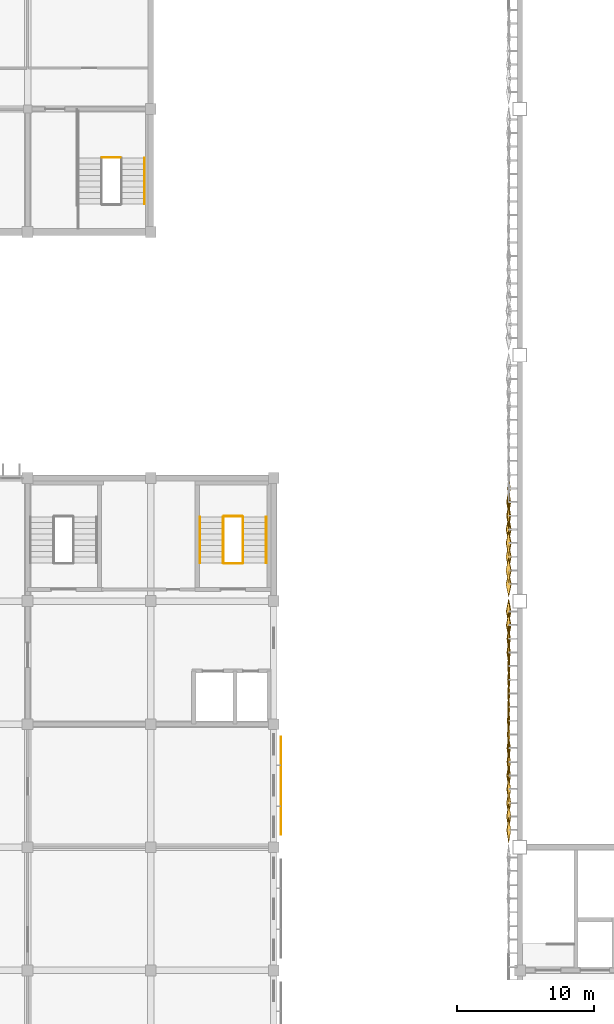
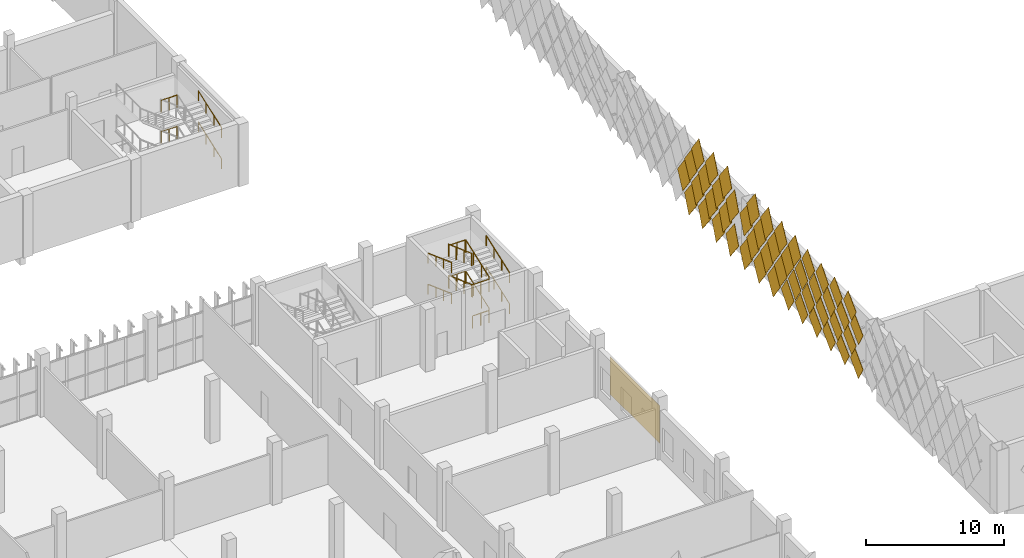
# One storey, part 171 of 185: 50 coverings, 16 railings.
"""IFC4 building model written with IfcOpenShell, lengths in metres."""

import ifcopenshell
import ifcopenshell.guid

model = None  # the IFC model being written
_history = None  # IfcOwnerHistory: only IFC2X3 demands one
_inside = {}  # id of a spatial element -> (the spatial element, [elements in it])
_under = {}  # id of a project, library or spatial element -> (it, [spatial elements below it])
_declared = {}  # id of a project -> (the project, [libraries it declares])
_typed = {}  # id of a type object -> (the type object, [elements of that type])
_made_of = {}  # id of a material, layer set ... -> (it, [elements and type objects made of it])


def new_model(schema):
    """Start an empty IFC model of exactly this schema.

    Asked for "IFC4X3", IfcOpenShell would pick the latest addendum, in which some entities
    have other attributes; the version numbers below select the first issue.
    IFC2X3 requires an IfcOwnerHistory on every rooted entity: one is made here for all.
    """
    global model, _history
    if schema == "IFC4X3":
        model = ifcopenshell.file(schema_version=(4, 3, 0, 0))
    else:
        model = ifcopenshell.file(schema=schema)
    _inside.clear()
    _under.clear()
    _declared.clear()
    _typed.clear()
    _made_of.clear()
    _history = None
    if model.schema == "IFC2X3":
        org = make("IfcOrganization", Name="unknown")
        user = make(
            "IfcPersonAndOrganization",
            ThePerson=make("IfcPerson", FamilyName="unknown"),
            TheOrganization=org,
        )
        app = make(
            "IfcApplication",
            ApplicationDeveloper=org,
            Version="unknown",
            ApplicationFullName="unknown",
            ApplicationIdentifier="unknown",
        )
        _history = make(
            "IfcOwnerHistory",
            OwningUser=user,
            OwningApplication=app,
            ChangeAction="ADDED",
            CreationDate=0,
        )
    return model


def make(cls, **values):
    """One entity of the class cls with the attributes given. An attribute that is None is left unset."""
    return model.create_entity(
        cls, **{name: value for name, value in values.items() if value is not None}
    )


def rooted(cls, **values):
    """An entity with a GlobalId (a new one), such as an element, a storey or a relation."""
    return make(cls, GlobalId=ifcopenshell.guid.new(), OwnerHistory=_history, **values)


def si_unit(unit_type, name, prefix=None):
    """IfcSIUnit, for example si_unit("LENGTHUNIT", "METRE", prefix="MILLI")."""
    return make("IfcSIUnit", UnitType=unit_type, Prefix=prefix, Name=name)


def assignment(units):
    """IfcUnitAssignment: the units of a project."""
    return None if units is None else make("IfcUnitAssignment", Units=units)


def point(xyz):
    """IfcCartesianPoint."""
    return None if xyz is None else make("IfcCartesianPoint", Coordinates=xyz)


def direction(xyz):
    """IfcDirection."""
    return None if xyz is None else make("IfcDirection", DirectionRatios=xyz)


def frame(location, z_axis=None, x_axis=None):
    """IfcAxis2Placement3D, a coordinate frame: its origin and axes. An axis left out is left unset."""
    return make(
        "IfcAxis2Placement3D",
        Location=point(location),
        Axis=direction(z_axis),
        RefDirection=direction(x_axis),
    )


def frame_2d(location, x_axis=None):
    """IfcAxis2Placement2D, a coordinate frame in the plane: its origin and x axis."""
    return make(
        "IfcAxis2Placement2D", Location=point(location), RefDirection=direction(x_axis)
    )


def origin():
    """The frame at (0, 0, 0) with its axes left unset."""
    return frame((0.0, 0.0, 0.0))


def origin_2d():
    """The frame at (0, 0) in the plane with its x axis left unset."""
    return frame_2d((0.0, 0.0))


def place(relative_to, where):
    """IfcLocalPlacement: puts the frame where relative to a parent placement (None: the world)."""
    return make(
        "IfcLocalPlacement", PlacementRelTo=relative_to, RelativePlacement=where
    )


def context(
    kind, dimensions, precision=None, world=None, true_north=None, identifier=None
):
    """IfcGeometricRepresentationContext, for example the 3D "Model" context."""
    return make(
        "IfcGeometricRepresentationContext",
        ContextIdentifier=identifier,
        ContextType=kind,
        CoordinateSpaceDimension=dimensions,
        Precision=precision,
        WorldCoordinateSystem=world,
        TrueNorth=true_north,
    )


def subcontext(parent, identifier, kind, view, scale=None):
    """IfcGeometricRepresentationSubContext, for example "Body" below "Model"."""
    return make(
        "IfcGeometricRepresentationSubContext",
        ContextIdentifier=identifier,
        ContextType=kind,
        ParentContext=parent,
        TargetScale=scale,
        TargetView=view,
    )


def project(units=None, contexts=None):
    """IfcProject with its units and contexts."""
    return rooted(
        "IfcProject",
        Name="project",
        RepresentationContexts=contexts,
        UnitsInContext=assignment(units),
    )


def spatial(cls, under=None, at=None, **own):
    """A site, building, storey or space (cls), placed at a placement, below another one or the project."""
    s = rooted(cls, ObjectPlacement=at, **own)
    if under is not None:
        _under.setdefault(under.id(), (under, []))[1].append(s)
    return s


def polyline(points):
    """IfcPolyline through the points."""
    return make("IfcPolyline", Points=[point(p) for p in points])


def profile(cls, at=None, kind="AREA", **sizes):
    """A parametric profile (cls). Its sizes go by their IFC names, for example OverallWidth=200.0."""
    return make(cls, ProfileType=kind, Position=at, **sizes)


def rectangle(**sizes):
    """IfcRectangleProfileDef."""
    return profile("IfcRectangleProfileDef", **sizes)


def circle(**sizes):
    """IfcCircleProfileDef."""
    return profile("IfcCircleProfileDef", **sizes)


def outline(outer, holes=None, kind="AREA"):
    """IfcArbitraryClosedProfileDef: a profile drawn as a closed curve; with holes, ...WithVoids."""
    if holes is None:
        return make("IfcArbitraryClosedProfileDef", ProfileType=kind, OuterCurve=outer)
    return make(
        "IfcArbitraryProfileDefWithVoids",
        ProfileType=kind,
        OuterCurve=outer,
        InnerCurves=holes,
    )


def extrude(swept, where, along, depth):
    """IfcExtrudedAreaSolid: the profile swept, set in the frame where, extruded along a direction by depth."""
    return make(
        "IfcExtrudedAreaSolid",
        SweptArea=swept,
        Position=where,
        ExtrudedDirection=direction(along),
        Depth=depth,
    )


def shape(context_of_items, identifier, shape_type, items):
    """IfcShapeRepresentation: the items that make up one representation, for example the "Body"."""
    return make(
        "IfcShapeRepresentation",
        ContextOfItems=context_of_items,
        RepresentationIdentifier=identifier,
        RepresentationType=shape_type,
        Items=items,
    )


def material(Name=None, Category=None):
    """IfcMaterial."""
    return make("IfcMaterial", Name=Name, Category=Category)


def layer(
    of_material, thickness, ventilated=None, Name=None, Category=None, Priority=None
):
    """IfcMaterialLayer: one layer of a wall or slab, of a material (None: an air gap)."""
    return make(
        "IfcMaterialLayer",
        Material=of_material,
        LayerThickness=thickness,
        IsVentilated=ventilated,
        Name=Name,
        Category=Category,
        Priority=Priority,
    )


def layer_set(layers, Name=None):
    """IfcMaterialLayerSet."""
    return make("IfcMaterialLayerSet", MaterialLayers=layers, LayerSetName=Name)


def constituent(of_material, Name=None, Category=None, fraction=None):
    """IfcMaterialConstituent: one of the materials an element consists of."""
    return make(
        "IfcMaterialConstituent",
        Name=Name,
        Material=of_material,
        Fraction=fraction,
        Category=Category,
    )


def constituent_set(constituents=None, Name=None):
    """IfcMaterialConstituentSet."""
    return make(
        "IfcMaterialConstituentSet", Name=Name, MaterialConstituents=constituents
    )


def material_profile(
    of_material, cross_section, Name=None, Category=None, Priority=None
):
    """IfcMaterialProfile: a cross section and its material."""
    return make(
        "IfcMaterialProfile",
        Name=Name,
        Material=of_material,
        Profile=cross_section,
        Priority=Priority,
        Category=Category,
    )


def profile_set(profiles, Name=None, composite=None):
    """IfcMaterialProfileSet."""
    return make(
        "IfcMaterialProfileSet",
        Name=Name,
        MaterialProfiles=profiles,
        CompositeProfile=composite,
    )


def made_of(thing, what):
    """Note that an element or type object is made of a material, layer set ...; save() writes the relation."""
    if what is not None:
        _made_of.setdefault(what.id(), (what, []))[1].append(thing)
    return thing


def type_object(cls, material=None, **own):
    """A type object (cls), such as IfcWallType, which elements share."""
    return made_of(rooted(cls, **own), material)


def element(
    cls,
    number,
    at=None,
    inside=None,
    cuts=None,
    type_object=None,
    material=None,
    context=None,
    identifier="Body",
    shape_type=None,
    held_by="IfcProductDefinitionShape",
    body=None,
    shapes=None,
    **own,
):
    """One element of the class cls, such as IfcWall. Its Tag is "e" and its number.

    at: its placement. inside: the storey or other place that contains it. cuts: it is an
    opening in that element (IfcRelVoidsElement). A single representation is given by context,
    identifier, shape_type and body (its items); several are given by shapes. held_by: the class
    of the entity that holds the representations. save() writes the other relations.
    """
    e = rooted(cls, Tag="e%d" % number, ObjectPlacement=at, **own)
    if body is not None:
        shapes = [shape(context, identifier, shape_type, body)]
    if shapes is not None:
        e.Representation = make(held_by, Representations=shapes)
    if inside is not None:
        _inside.setdefault(inside.id(), (inside, []))[1].append(e)
    if cuts is not None:
        rooted(
            "IfcRelVoidsElement", RelatingBuildingElement=cuts, RelatedOpeningElement=e
        )
    if type_object is not None:
        _typed.setdefault(type_object.id(), (type_object, []))[1].append(e)
    return made_of(e, material)


def aggregate(whole, parts):
    """IfcRelAggregates: a whole, such as a stair, and the parts it consists of."""
    return rooted("IfcRelAggregates", RelatingObject=whole, RelatedObjects=parts)


def save(model, path):
    """Write the relations noted so far, then the file.

    IfcRelAggregates (storeys below a building ...), IfcRelContainedInSpatialStructure (elements
    in a storey), IfcRelDefinesByType, IfcRelAssociatesMaterial and IfcRelDeclares: one each for
    every whole, place, type object, material and project.
    """
    for whole, parts in _under.values():
        aggregate(whole, parts)
    for where, things in _inside.values():
        rooted(
            "IfcRelContainedInSpatialStructure",
            RelatedElements=things,
            RelatingStructure=where,
        )
    for kind, things in _typed.values():
        rooted("IfcRelDefinesByType", RelatedObjects=things, RelatingType=kind)
    for what, things in _made_of.values():
        rooted("IfcRelAssociatesMaterial", RelatedObjects=things, RelatingMaterial=what)
    for by, libraries in _declared.values():
        rooted("IfcRelDeclares", RelatingContext=by, RelatedDefinitions=libraries)
    model.write(path)


model = new_model("IFC4")

# Units and contexts
model_context = context("Model", 3, precision=1e-05, world=origin(), true_north=direction((0.0, 1.0)))
body_context = subcontext(model_context, "Body", "Model", "MODEL_VIEW")
ifc_project = project(units=[si_unit("LENGTHUNIT", "METRE"), si_unit("AREAUNIT", "SQUARE_METRE"), si_unit("VOLUMEUNIT", "CUBIC_METRE"), si_unit("PLANEANGLEUNIT", "RADIAN"), si_unit("MASSUNIT", "GRAM", prefix="KILO")], contexts=[model_context])

# Site, building, storey
site_placement = place(None, origin())
site = spatial("IfcSite", under=ifc_project, at=site_placement, CompositionType="ELEMENT")
building_placement = place(site_placement, origin())
building = spatial("IfcBuilding", under=site, at=building_placement, Name="Opaline Strait Convention Centre", CompositionType="ELEMENT")
storey_placement = place(building_placement, frame((0.0, 0.0, 6.0)))
storey = spatial("IfcBuildingStorey", under=building, at=storey_placement, Name="L01", CompositionType="ELEMENT", Elevation=6.0)

# Coverings
ifc_material_1 = material(Name="White ceramic-faced aluminium tile", Category="aluminium")
ifc_material_profile_1 = material_profile(ifc_material_1, outline(polyline([(0.927978515625, 0.0), (0.0, 1.39208984375), (-0.927978515625, 0.0), (0.0, -1.39208984375), (0.927978515625, 0.0)])), Name="Diamond tile 1856x2784")
ifc_profile_set_1 = profile_set([ifc_material_profile_1], Name="White ceramic-faced aluminium tile")
covering_type_1 = type_object("IfcCoveringType", Name="Diamond wall tile 1856x2784x30 pivot 2.5 deg", PredefinedType="CLADDING", material=ifc_profile_set_1)
for number, where, z_axis, x_axis, name in (
    (1, (98.199951171875, 85.25, 1.39208984375), (-0.999174794796, 0.0, 0.040616861577), (0.0, -1.0, 0.0), "Wall tile XT05 W"),
    (2, (98.199951171875, 83.25, 1.39208984375), (-0.998812351125, 0.0, -0.048722553713), (0.0, -1.0, 0.0), "Wall tile XT05 W"),
    (3, (98.199951171875, 84.25, 2.89208984375), (-0.999174794796, 0.0, 0.040616861577), (0.0, -1.0, 0.0), "Wall tile XT05 W"),
    (4, (98.199951171875, 82.25, 2.89208984375), (-0.998812351125, 0.0, -0.048722553713), (0.0, -1.0, 0.0), "Wall tile XT05 W"),
    (5, (98.199951171875, 83.25, 4.39208984375), (-0.999174794796, 0.0, 0.040616861577), (0.0, -1.0, 0.0), "Wall tile XT05 W"),
    (6, (98.199951171875, 81.25, 4.39208984375), (-0.998812351125, 0.0, -0.048722553713), (0.0, -1.0, 0.0), "Wall tile XT05 W"),
    (7, (98.199951171875, 82.25, 5.89208984375), (-0.999174794796, 0.0, 0.040616861577), (0.0, -1.0, 0.0), "Wall tile XT05 W"),
    (8, (98.199951171875, 80.25, 5.89208984375), (-0.998812351125, 0.0, -0.048722553713), (0.0, -1.0, 0.0), "Wall tile XT05 W"),
):
    element("IfcCovering", number, at=place(storey_placement, frame(where, z_axis=z_axis, x_axis=x_axis)), inside=storey, type_object=covering_type_1, Name=name, PredefinedType="CLADDING", context=body_context, shape_type="SweptSolid", body=[
        extrude(outline(polyline([(0.927978515625, 0.0), (0.0, 1.39208984375), (-0.927978515625, 0.0), (0.0, -1.39208984375), (0.927978515625, 0.0)])), origin(), (0.0, 0.0, 1.0), 0.030029296875),
    ])
ifc_material_profile_2 = material_profile(ifc_material_1, outline(polyline([(0.927978515625, 0.0), (0.0, 1.39208984375), (-0.927978515625, 0.0), (0.0, -1.39208984375), (0.927978515625, 0.0)])), Name="Diamond tile 1856x2784")
ifc_profile_set_2 = profile_set([ifc_material_profile_2], Name="White ceramic-faced aluminium tile")
covering_type_2 = type_object("IfcCoveringType", Name="Diamond wall tile 1856x2784x30 pivot 3.5 deg", PredefinedType="CLADDING", material=ifc_profile_set_2)
for number, where, z_axis, x_axis, name in (
    (9, (98.199951171875, 87.25, 1.39208984375), (-0.99835799028, 0.0, 0.057282835508), (0.0, -1.0, 0.0), "Wall tile XT07 W"),
    (10, (98.199951171875, 81.25, 1.39208984375), (-0.99785694905, 0.0, -0.065433242561), (0.0, -1.0, 0.0), "Wall tile XT07 W"),
    (11, (98.199951171875, 86.25, 2.89208984375), (-0.99835799028, 0.0, 0.057282835508), (0.0, -1.0, 0.0), "Wall tile XT07 W"),
    (12, (98.199951171875, 80.25, 2.89208984375), (-0.99785694905, 0.0, -0.065433242561), (0.0, -1.0, 0.0), "Wall tile XT07 W"),
    (13, (98.199951171875, 79.25, 4.39208984375), (-0.99785694905, 0.0, -0.065433242561), (0.0, -1.0, 0.0), "Wall tile XT07 W"),
    (14, (98.199951171875, 78.25, 5.89208984375), (-0.99785694905, 0.0, -0.065433242561), (0.0, -1.0, 0.0), "Wall tile XT07 W"),
):
    element("IfcCovering", number, at=place(storey_placement, frame(where, z_axis=z_axis, x_axis=x_axis)), inside=storey, type_object=covering_type_2, Name=name, PredefinedType="CLADDING", context=body_context, shape_type="SweptSolid", body=[
        extrude(outline(polyline([(0.927978515625, 0.0), (0.0, 1.39208984375), (-0.927978515625, 0.0), (0.0, -1.39208984375), (0.927978515625, 0.0)])), origin(), (0.0, 0.0, 1.0), 0.02978515625),
    ])
ifc_material_profile_3 = material_profile(ifc_material_1, outline(polyline([(0.927978515625, 0.0), (0.0, 1.39208984375), (-0.927978515625, 0.0), (0.0, -1.39208984375), (0.927978515625, 0.0)])), Name="Diamond tile 1856x2784")
ifc_profile_set_3 = profile_set([ifc_material_profile_3], Name="White ceramic-faced aluminium tile")
covering_type_3 = type_object("IfcCoveringType", Name="Diamond wall tile 1856x2784x30 pivot 4 deg", PredefinedType="CLADDING", material=ifc_profile_set_3)
for number, where, z_axis, x_axis, name in (
    (15, (98.199951171875, 97.25, 4.39208984375), (-0.99785694905, 0.0, 0.065433242561), (0.0, -1.0, 0.0), "Wall tile XT08 W"),
    (16, (98.199951171875, 85.25, 4.39208984375), (-0.99785694905, 0.0, 0.065433242561), (0.0, -1.0, 0.0), "Wall tile XT08 W"),
    (17, (98.199951171875, 96.25, 5.89208984375), (-0.99785694905, 0.0, 0.065433242561), (0.0, -1.0, 0.0), "Wall tile XT08 W"),
    (18, (98.199951171875, 84.25, 5.89208984375), (-0.99785694905, 0.0, 0.065433242561), (0.0, -1.0, 0.0), "Wall tile XT08 W"),
):
    element("IfcCovering", number, at=place(storey_placement, frame(where, z_axis=z_axis, x_axis=x_axis)), inside=storey, type_object=covering_type_3, Name=name, PredefinedType="CLADDING", context=body_context, shape_type="SweptSolid", body=[
        extrude(outline(polyline([(0.927978515625, 0.0), (0.0, 1.39208984375), (-0.927978515625, 0.0), (0.0, -1.39208984375), (0.927978515625, 0.0)])), origin(), (0.0, 0.0, 1.0), 0.02978515625),
    ])
ifc_material_profile_4 = material_profile(ifc_material_1, outline(polyline([(0.927978515625, 0.0), (0.0, 1.39208984375), (-0.927978515625, 0.0), (0.0, -1.39208984375), (0.927978515625, 0.0)])), Name="Diamond tile 1856x2784")
ifc_profile_set_4 = profile_set([ifc_material_profile_4], Name="White ceramic-faced aluminium tile")
covering_type_4 = type_object("IfcCoveringType", Name="Diamond wall tile 1856x2784x30 pivot 4.5 deg", PredefinedType="CLADDING", material=ifc_profile_set_4)
covering_1_placement = place(storey_placement, frame((98.199951171875, 98.25, 2.89208984375), z_axis=(-0.997290013252, 0.0, 0.073570574748), x_axis=(0.0, -1.0, 0.0)))
element("IfcCovering", 19, at=covering_1_placement, inside=storey, type_object=covering_type_4, Name="Wall tile XT09 W", PredefinedType="CLADDING", context=body_context, shape_type="SweptSolid", body=[
    extrude(outline(polyline([(0.927978515625, 0.0), (0.0, 1.39208984375), (-0.927978515625, 0.0), (0.0, -1.39208984375), (0.927978515625, 0.0)])), origin(), (0.0, 0.0, 1.0), 0.02978515625),
])
ifc_material_profile_5 = material_profile(ifc_material_1, outline(polyline([(0.927978515625, 0.0), (0.0, 1.39208984375), (-0.927978515625, 0.0), (0.0, -1.39208984375), (0.927978515625, 0.0)])), Name="Diamond tile 1856x2784")
ifc_profile_set_5 = profile_set([ifc_material_profile_5], Name="White ceramic-faced aluminium tile")
covering_type_5 = type_object("IfcCoveringType", Name="Diamond wall tile 1856x2784x30 pivot 5 deg", PredefinedType="CLADDING", material=ifc_profile_set_5)
for number, where, z_axis, x_axis, name in (
    (20, (98.199951171875, 77.25, 4.39208984375), (-0.995959849254, 0.0, -0.089799658539), (0.0, -1.0, 0.0), "Wall tile XT10 W"),
    (21, (98.199951171875, 76.25, 5.89208984375), (-0.995959849254, 0.0, -0.089799658539), (0.0, -1.0, 0.0), "Wall tile XT10 W"),
):
    element("IfcCovering", number, at=place(storey_placement, frame(where, z_axis=z_axis, x_axis=x_axis)), inside=storey, type_object=covering_type_5, Name=name, PredefinedType="CLADDING", context=body_context, shape_type="SweptSolid", body=[
        extrude(outline(polyline([(0.927978515625, 0.0), (0.0, 1.39208984375), (-0.927978515625, 0.0), (0.0, -1.39208984375), (0.927978515625, 0.0)])), origin(), (0.0, 0.0, 1.0), 0.02978515625),
    ])
ifc_material_profile_6 = material_profile(ifc_material_1, outline(polyline([(0.927978515625, 0.0), (0.0, 1.39208984375), (-0.927978515625, 0.0), (0.0, -1.39208984375), (0.927978515625, 0.0)])), Name="Diamond tile 1856x2784")
ifc_profile_set_6 = profile_set([ifc_material_profile_6], Name="White ceramic-faced aluminium tile")
covering_type_6 = type_object("IfcCoveringType", Name="Diamond wall tile 1856x2784x30 pivot 5.5 deg", PredefinedType="CLADDING", material=ifc_profile_set_6)
for number, where, z_axis, x_axis, name in (
    (22, (98.199951171875, 79.25, 1.39208984375), (-0.995197410875, 0.0, -0.097888269922), (0.0, -1.0, 0.0), "Wall tile XT11 W"),
    (23, (98.199951171875, 73.25, 1.39208984375), (-0.995197410875, 0.0, -0.097888269922), (0.0, -1.0, 0.0), "Wall tile XT11 W"),
    (24, (98.199951171875, 78.25, 2.89208984375), (-0.995197410875, 0.0, -0.097888269922), (0.0, -1.0, 0.0), "Wall tile XT11 W"),
):
    element("IfcCovering", number, at=place(storey_placement, frame(where, z_axis=z_axis, x_axis=x_axis)), inside=storey, type_object=covering_type_6, Name=name, PredefinedType="CLADDING", context=body_context, shape_type="SweptSolid", body=[
        extrude(outline(polyline([(0.927978515625, 0.0), (0.0, 1.39208984375), (-0.927978515625, 0.0), (0.0, -1.39208984375), (0.927978515625, 0.0)])), origin(), (0.0, 0.0, 1.0), 0.030029296875),
    ])
ifc_material_profile_7 = material_profile(ifc_material_1, outline(polyline([(0.927978515625, 0.0), (0.0, 1.39208984375), (-0.927978515625, 0.0), (0.0, -1.39208984375), (0.927978515625, 0.0)])), Name="Diamond tile 1856x2784")
ifc_profile_set_7 = profile_set([ifc_material_profile_7], Name="White ceramic-faced aluminium tile")
covering_type_7 = type_object("IfcCoveringType", Name="Diamond wall tile 1856x2784x30 pivot 6 deg", PredefinedType="CLADDING", material=ifc_profile_set_7)
for number, where, z_axis, x_axis, name in (
    (25, (98.199951171875, 89.25, 1.39208984375), (-0.995197410875, 0.0, 0.097888269922), (0.0, -1.0, 0.0), "Wall tile XT12 W"),
    (26, (98.199951171875, 77.25, 1.39208984375), (-0.994370656274, 0.0, -0.105957528947), (0.0, -1.0, 0.0), "Wall tile XT12 W"),
    (27, (98.199951171875, 88.25, 2.89208984375), (-0.995197410875, 0.0, 0.097888269922), (0.0, -1.0, 0.0), "Wall tile XT12 W"),
    (28, (98.199951171875, 76.25, 2.89208984375), (-0.994370656274, 0.0, -0.105957528947), (0.0, -1.0, 0.0), "Wall tile XT12 W"),
    (29, (98.199951171875, 87.25, 4.39208984375), (-0.995197410875, 0.0, 0.097888269922), (0.0, -1.0, 0.0), "Wall tile XT12 W"),
    (30, (98.199951171875, 75.25, 4.39208984375), (-0.994370656274, 0.0, -0.105957528947), (0.0, -1.0, 0.0), "Wall tile XT12 W"),
    (31, (98.199951171875, 73.25, 4.39208984375), (-0.994370656274, 0.0, -0.105957528947), (0.0, -1.0, 0.0), "Wall tile XT12 W"),
    (32, (98.199951171875, 86.25, 5.89208984375), (-0.995197410875, 0.0, 0.097888269922), (0.0, -1.0, 0.0), "Wall tile XT12 W"),
    (33, (98.199951171875, 74.25, 5.89208984375), (-0.994370656274, 0.0, -0.105957528947), (0.0, -1.0, 0.0), "Wall tile XT12 W"),
):
    element("IfcCovering", number, at=place(storey_placement, frame(where, z_axis=z_axis, x_axis=x_axis)), inside=storey, type_object=covering_type_7, Name=name, PredefinedType="CLADDING", context=body_context, shape_type="SweptSolid", body=[
        extrude(outline(polyline([(0.927978515625, 0.0), (0.0, 1.39208984375), (-0.927978515625, 0.0), (0.0, -1.39208984375), (0.927978515625, 0.0)])), origin(), (0.0, 0.0, 1.0), 0.030029296875),
    ])
ifc_material_profile_8 = material_profile(ifc_material_1, outline(polyline([(0.927978515625, 0.0), (0.0, 1.39208984375), (-0.927978515625, 0.0), (0.0, -1.39208984375), (0.927978515625, 0.0)])), Name="Diamond tile 1856x2784")
ifc_profile_set_8 = profile_set([ifc_material_profile_8], Name="White ceramic-faced aluminium tile")
covering_type_8 = type_object("IfcCoveringType", Name="Diamond wall tile 1856x2784x30 pivot 6.5 deg", PredefinedType="CLADDING", material=ifc_profile_set_8)
for number, where, z_axis, x_axis, name in (
    (34, (98.199951171875, 97.25, 1.39208984375), (-0.993480071526, 0.0, 0.114005909847), (0.0, -1.0, 0.0), "Wall tile XT13 W"),
    (35, (98.199951171875, 75.25, 1.39208984375), (-0.993480071526, 0.0, -0.114005909847), (0.0, -1.0, 0.0), "Wall tile XT13 W"),
    (36, (98.199951171875, 96.25, 2.89208984375), (-0.993480071526, 0.0, 0.114005909847), (0.0, -1.0, 0.0), "Wall tile XT13 W"),
    (37, (98.199951171875, 74.25, 2.89208984375), (-0.993480071526, 0.0, -0.114005909847), (0.0, -1.0, 0.0), "Wall tile XT13 W"),
    (38, (98.199951171875, 95.25, 4.39208984375), (-0.993480071526, 0.0, 0.114005909847), (0.0, -1.0, 0.0), "Wall tile XT13 W"),
    (39, (98.199951171875, 94.25, 5.89208984375), (-0.993480071526, 0.0, 0.114005909847), (0.0, -1.0, 0.0), "Wall tile XT13 W"),
):
    element("IfcCovering", number, at=place(storey_placement, frame(where, z_axis=z_axis, x_axis=x_axis)), inside=storey, type_object=covering_type_8, Name=name, PredefinedType="CLADDING", context=body_context, shape_type="SweptSolid", body=[
        extrude(outline(polyline([(0.927978515625, 0.0), (0.0, 1.39208984375), (-0.927978515625, 0.0), (0.0, -1.39208984375), (0.927978515625, 0.0)])), origin(), (0.0, 0.0, 1.0), 0.030029296875),
    ])
ifc_material_profile_9 = material_profile(ifc_material_1, outline(polyline([(0.927978515625, 0.0), (0.0, 1.39208984375), (-0.927978515625, 0.0), (0.0, -1.39208984375), (0.927978515625, 0.0)])), Name="Diamond tile 1856x2784")
ifc_profile_set_9 = profile_set([ifc_material_profile_9], Name="White ceramic-faced aluminium tile")
covering_type_9 = type_object("IfcCoveringType", Name="Diamond wall tile 1856x2784x30 pivot 7.5 deg", PredefinedType="CLADDING", material=ifc_profile_set_9)
for number, where, z_axis, x_axis, name in (
    (40, (98.199951171875, 91.25, 1.39208984375), (-0.991509530601, 0.0, 0.1300340368), (0.0, -1.0, 0.0), "Wall tile XT15 W"),
    (41, (98.199951171875, 93.25, 4.39208984375), (-0.991509530601, 0.0, 0.1300340368), (0.0, -1.0, 0.0), "Wall tile XT15 W"),
    (42, (98.199951171875, 89.25, 4.39208984375), (-0.991509530601, 0.0, 0.1300340368), (0.0, -1.0, 0.0), "Wall tile XT15 W"),
    (43, (98.199951171875, 92.25, 5.89208984375), (-0.991509530601, 0.0, 0.1300340368), (0.0, -1.0, 0.0), "Wall tile XT15 W"),
    (44, (98.199951171875, 88.25, 5.89208984375), (-0.991509530601, 0.0, 0.1300340368), (0.0, -1.0, 0.0), "Wall tile XT15 W"),
):
    element("IfcCovering", number, at=place(storey_placement, frame(where, z_axis=z_axis, x_axis=x_axis)), inside=storey, type_object=covering_type_9, Name=name, PredefinedType="CLADDING", context=body_context, shape_type="SweptSolid", body=[
        extrude(outline(polyline([(0.927978515625, 0.0), (0.0, 1.39208984375), (-0.927978515625, 0.0), (0.0, -1.39208984375), (0.927978515625, 0.0)])), origin(), (0.0, 0.0, 1.0), 0.030029296875),
    ])
ifc_material_profile_10 = material_profile(ifc_material_1, outline(polyline([(0.927978515625, 0.0), (0.0, 1.39208984375), (-0.927978515625, 0.0), (0.0, -1.39208984375), (0.927978515625, 0.0)])), Name="Diamond tile 1856x2784")
ifc_profile_set_10 = profile_set([ifc_material_profile_10], Name="White ceramic-faced aluminium tile")
covering_type_10 = type_object("IfcCoveringType", Name="Diamond wall tile 1856x2784x30 pivot 8 deg", PredefinedType="CLADDING", material=ifc_profile_set_10)
for number, where, z_axis, x_axis, name in (
    (45, (98.199951171875, 95.25, 1.39208984375), (-0.990274204789, 0.0, 0.139129433731), (0.0, -1.0, 0.0), "Wall tile XT16 W"),
    (46, (98.199951171875, 93.25, 1.39208984375), (-0.990274204789, 0.0, 0.139129433731), (0.0, -1.0, 0.0), "Wall tile XT16 W"),
    (47, (98.199951171875, 94.25, 2.89208984375), (-0.990274204789, 0.0, 0.139129433731), (0.0, -1.0, 0.0), "Wall tile XT16 W"),
    (48, (98.199951171875, 92.25, 2.89208984375), (-0.990274204789, 0.0, 0.139129433731), (0.0, -1.0, 0.0), "Wall tile XT16 W"),
    (49, (98.199951171875, 91.25, 4.39208984375), (-0.990274204789, 0.0, 0.139129433731), (0.0, -1.0, 0.0), "Wall tile XT16 W"),
):
    element("IfcCovering", number, at=place(storey_placement, frame(where, z_axis=z_axis, x_axis=x_axis)), inside=storey, type_object=covering_type_10, Name=name, PredefinedType="CLADDING", context=body_context, shape_type="SweptSolid", body=[
        extrude(outline(polyline([(0.927978515625, 0.0), (0.0, 1.39208984375), (-0.927978515625, 0.0), (0.0, -1.39208984375), (0.927978515625, 0.0)])), origin(), (0.0, 0.0, 1.0), 0.02978515625),
    ])
ifc_material_2 = material(Name="Perforated aluminium sheet", Category="aluminium")
ifc_layer = layer(ifc_material_2, 0.030029296875)
ifc_layer_set = layer_set([ifc_layer], Name="Perforated aluminium sheet")
covering_type_11 = type_object("IfcCoveringType", Name="Perforated aluminium screen 7200x3300", PredefinedType="CLADDING", material=ifc_layer_set)
covering_2_placement = place(storey_placement, frame((81.514892578125, 76.5, 0.39990234375), z_axis=(0.0, 0.0, 1.0), x_axis=(1.0, 0.0, 0.0)))
element("IfcCovering", 50, at=covering_2_placement, inside=storey, type_object=covering_type_11, Name="Perforated screen L01 bay 8", PredefinedType="CLADDING", context=body_context, shape_type="SweptSolid", body=[
    extrude(rectangle(XDim=0.030029296875, YDim=7.199951171875, at=origin_2d()), origin(), (0.0, 0.0, 1.0), 3.300048828125),
])

# Railings
ifc_material_3 = material(Name="Steel Q355B", Category="steel")
ifc_constituent_1 = constituent(ifc_material_3, Name="Frame")
ifc_material_4 = material(Name="Safety glass, bonded interlayer", Category="glass")
ifc_constituent_2 = constituent(ifc_material_4, Name="Infill")
ifc_constituent_set_1 = constituent_set(constituents=[ifc_constituent_1, ifc_constituent_2], Name="Steel Q355B, Safety glass, bonded interlayer")
railing_type_1 = type_object("IfcRailingType", Name="Seating guard 1100 steel and glass", PredefinedType="GUARDRAIL", material=ifc_constituent_set_1)
for number, where, name in (
    (51, (69.800048828125, 122.4599609375, 1.375), "L01 PSR2 stair guard 2"),
    (52, (69.800048828125, 122.4599609375, 4.125), "L01 PSR2 stair guard 8"),
):
    element("IfcRailing", number, at=place(storey_placement, frame(where)), inside=storey, type_object=railing_type_1, Name=name, PredefinedType="GUARDRAIL", context=body_context, shape_type="SweptSolid", body=[
        extrude(circle(Radius=0.02392578125, at=origin_2d()), frame((0.0, 0.0, 1.076171875), z_axis=(-1.0, 0.0, 0.0), x_axis=(0.0, -1.0, 0.0)), (0.0, 0.0, 1.0), 1.35009765625),
        extrude(circle(Radius=0.02099609375, at=origin_2d()), origin(), (0.0, 0.0, 1.0), 1.052001953125),
        extrude(circle(Radius=0.02099609375, at=origin_2d()), frame((-0.675048828125, 0.0, 0.0)), (0.0, 0.0, 1.0), 1.052001953125),
        extrude(circle(Radius=0.02099609375, at=origin_2d()), frame((-1.35009765625, 0.0, 0.0)), (0.0, 0.0, 1.0), 1.052001953125),
    ])
ifc_material_5 = material(Name="Steel Q235B", Category="steel")
ifc_constituent_3 = constituent(ifc_material_5, Name="Frame")
ifc_constituent_4 = constituent(ifc_material_4, Name="Infill")
ifc_constituent_set_2 = constituent_set(constituents=[ifc_constituent_3, ifc_constituent_4], Name="Steel Q235B, Safety glass, bonded interlayer")
railing_type_2 = type_object("IfcRailingType", Name="Stair guard 1100 Q235B and glass", PredefinedType="GUARDRAIL", material=ifc_constituent_set_2)
railing_1_placement = place(storey_placement, frame((78.75, 92.800048828125, 0.15283203125)))
element("IfcRailing", 53, at=railing_1_placement, inside=storey, type_object=railing_type_2, Name="L01 NEA stair guard 1", PredefinedType="GUARDRAIL", context=body_context, shape_type="SweptSolid", body=[
    extrude(circle(Radius=0.02392578125, at=origin_2d()), frame((0.0, 0.0, 1.076171875), z_axis=(0.0, 0.93975753056, 0.341841752506), x_axis=(-1.0, 0.0, 0.0)), (0.0, 0.0, 1.0), 3.5751953125),
    extrude(circle(Radius=0.02099609375, at=origin_2d()), origin(), (0.0, 0.0, 1.0), 1.052001953125),
    extrude(circle(Radius=0.02099609375, at=origin_2d()), frame((0.0, 1.119873046875, 0.407470703125)), (0.0, 0.0, 1.0), 1.052001953125),
    extrude(circle(Radius=0.02099609375, at=origin_2d()), frame((0.0, 2.239990234375, 0.814697265625)), (0.0, 0.0, 1.0), 1.052001953125),
    extrude(circle(Radius=0.02099609375, at=origin_2d()), frame((0.0, 3.35986328125, 1.22216796875)), (0.0, 0.0, 1.0), 1.052001953125),
])
railing_2_placement = place(storey_placement, frame((78.699951171875, 96.2099609375, 1.375)))
element("IfcRailing", 54, at=railing_2_placement, inside=storey, type_object=railing_type_2, Name="L01 NEA stair guard 2", PredefinedType="GUARDRAIL", context=body_context, shape_type="SweptSolid", body=[
    extrude(circle(Radius=0.02392578125, at=origin_2d()), frame((0.0, 0.0, 1.076171875), z_axis=(-1.0, 0.0, 0.0), x_axis=(0.0, -1.0, 0.0)), (0.0, 0.0, 1.0), 1.349853515625),
    extrude(circle(Radius=0.02099609375, at=origin_2d()), origin(), (0.0, 0.0, 1.0), 1.052001953125),
    extrude(circle(Radius=0.02099609375, at=origin_2d()), frame((-0.6748046875, 0.0, 0.0)), (0.0, 0.0, 1.0), 1.052001953125),
    extrude(circle(Radius=0.02099609375, at=origin_2d()), frame((-1.349853515625, 0.0, 0.0)), (0.0, 0.0, 1.0), 1.052001953125),
])
railing_3_placement = place(storey_placement, frame((77.300048828125, 96.159912109375, 1.52783203125)))
element("IfcRailing", 55, at=railing_3_placement, inside=storey, type_object=railing_type_2, Name="L01 NEA stair guard 3", PredefinedType="GUARDRAIL", context=body_context, shape_type="SweptSolid", body=[
    extrude(circle(Radius=0.02392578125, at=origin_2d()), frame((0.0, 0.0, 1.076171875), z_axis=(0.0, -0.93975753056, 0.341841752506), x_axis=(1.0, 0.0, 0.0)), (0.0, 0.0, 1.0), 3.5751953125),
    extrude(circle(Radius=0.02099609375, at=origin_2d()), origin(), (0.0, 0.0, 1.0), 1.052001953125),
    extrude(circle(Radius=0.02099609375, at=origin_2d()), frame((0.0, -1.119873046875, 0.407470703125)), (0.0, 0.0, 1.0), 1.052001953125),
    extrude(circle(Radius=0.02099609375, at=origin_2d()), frame((0.0, -2.239990234375, 0.814697265625)), (0.0, 0.0, 1.0), 1.052001953125),
    extrude(circle(Radius=0.02099609375, at=origin_2d()), frame((0.0, -3.35986328125, 1.22216796875)), (0.0, 0.0, 1.0), 1.052001953125),
])
railing_4_placement = place(storey_placement, frame((78.699951171875, 92.75, 2.75)))
element("IfcRailing", 56, at=railing_4_placement, inside=storey, type_object=railing_type_2, Name="L01 NEA stair guard 4", PredefinedType="GUARDRAIL", context=body_context, shape_type="SweptSolid", body=[
    extrude(circle(Radius=0.02392578125, at=origin_2d()), frame((0.0, 0.0, 1.076171875), z_axis=(-1.0, 0.0, 0.0), x_axis=(0.0, -1.0, 0.0)), (0.0, 0.0, 1.0), 1.349853515625),
    extrude(circle(Radius=0.02099609375, at=origin_2d()), origin(), (0.0, 0.0, 1.0), 1.052001953125),
    extrude(circle(Radius=0.02099609375, at=origin_2d()), frame((-0.6748046875, 0.0, 0.0)), (0.0, 0.0, 1.0), 1.052001953125),
    extrude(circle(Radius=0.02099609375, at=origin_2d()), frame((-1.349853515625, 0.0, 0.0)), (0.0, 0.0, 1.0), 1.052001953125),
])
railing_5_placement = place(storey_placement, frame((78.75, 92.800048828125, 2.90283203125)))
element("IfcRailing", 57, at=railing_5_placement, inside=storey, type_object=railing_type_2, Name="L01 NEA stair guard 5", PredefinedType="GUARDRAIL", context=body_context, shape_type="SweptSolid", body=[
    extrude(circle(Radius=0.02392578125, at=origin_2d()), frame((0.0, 0.0, 1.076171875), z_axis=(0.0, 0.93975753056, 0.341841752506), x_axis=(-1.0, 0.0, 0.0)), (0.0, 0.0, 1.0), 3.5751953125),
    extrude(circle(Radius=0.02099609375, at=origin_2d()), origin(), (0.0, 0.0, 1.0), 1.052001953125),
    extrude(circle(Radius=0.02099609375, at=origin_2d()), frame((0.0, 1.119873046875, 0.407470703125)), (0.0, 0.0, 1.0), 1.052001953125),
    extrude(circle(Radius=0.02099609375, at=origin_2d()), frame((0.0, 2.239990234375, 0.814697265625)), (0.0, 0.0, 1.0), 1.052001953125),
    extrude(circle(Radius=0.02099609375, at=origin_2d()), frame((0.0, 3.35986328125, 1.22216796875)), (0.0, 0.0, 1.0), 1.052001953125),
])
railing_6_placement = place(storey_placement, frame((78.699951171875, 96.2099609375, 4.125)))
element("IfcRailing", 58, at=railing_6_placement, inside=storey, type_object=railing_type_2, Name="L01 NEA stair guard 6", PredefinedType="GUARDRAIL", context=body_context, shape_type="SweptSolid", body=[
    extrude(circle(Radius=0.02392578125, at=origin_2d()), frame((0.0, 0.0, 1.076171875), z_axis=(-1.0, 0.0, 0.0), x_axis=(0.0, -1.0, 0.0)), (0.0, 0.0, 1.0), 1.349853515625),
    extrude(circle(Radius=0.02099609375, at=origin_2d()), origin(), (0.0, 0.0, 1.0), 1.052001953125),
    extrude(circle(Radius=0.02099609375, at=origin_2d()), frame((-0.6748046875, 0.0, 0.0)), (0.0, 0.0, 1.0), 1.052001953125),
    extrude(circle(Radius=0.02099609375, at=origin_2d()), frame((-1.349853515625, 0.0, 0.0)), (0.0, 0.0, 1.0), 1.052001953125),
])
railing_7_placement = place(storey_placement, frame((77.300048828125, 96.159912109375, 4.27783203125)))
element("IfcRailing", 59, at=railing_7_placement, inside=storey, type_object=railing_type_2, Name="L01 NEA stair guard 7", PredefinedType="GUARDRAIL", context=body_context, shape_type="SweptSolid", body=[
    extrude(circle(Radius=0.02392578125, at=origin_2d()), frame((0.0, 0.0, 1.076171875), z_axis=(0.0, -0.93975753056, 0.341841752506), x_axis=(1.0, 0.0, 0.0)), (0.0, 0.0, 1.0), 3.5751953125),
    extrude(circle(Radius=0.02099609375, at=origin_2d()), origin(), (0.0, 0.0, 1.0), 1.052001953125),
    extrude(circle(Radius=0.02099609375, at=origin_2d()), frame((0.0, -1.119873046875, 0.407470703125)), (0.0, 0.0, 1.0), 1.052001953125),
    extrude(circle(Radius=0.02099609375, at=origin_2d()), frame((0.0, -2.239990234375, 0.814697265625)), (0.0, 0.0, 1.0), 1.052001953125),
    extrude(circle(Radius=0.02099609375, at=origin_2d()), frame((0.0, -3.35986328125, 1.22216796875)), (0.0, 0.0, 1.0), 1.052001953125),
])
railing_8_placement = place(storey_placement, frame((78.699951171875, 92.75, 0.0)))
element("IfcRailing", 60, at=railing_8_placement, inside=storey, type_object=railing_type_2, Name="L01 NEA stair guard 8", PredefinedType="GUARDRAIL", context=body_context, shape_type="SweptSolid", body=[
    extrude(circle(Radius=0.02392578125, at=origin_2d()), frame((0.0, 0.0, 1.076171875), z_axis=(-1.0, 0.0, 0.0), x_axis=(0.0, -1.0, 0.0)), (0.0, 0.0, 1.0), 1.349853515625),
    extrude(circle(Radius=0.02099609375, at=origin_2d()), origin(), (0.0, 0.0, 1.0), 1.052001953125),
    extrude(circle(Radius=0.02099609375, at=origin_2d()), frame((-0.6748046875, 0.0, 0.0)), (0.0, 0.0, 1.0), 1.052001953125),
    extrude(circle(Radius=0.02099609375, at=origin_2d()), frame((-1.349853515625, 0.0, 0.0)), (0.0, 0.0, 1.0), 1.052001953125),
])
ifc_material_6 = material(Name="Stainless steel 304", Category="steel")
railing_type_3 = type_object("IfcRailingType", Name="Stair handrail 900", PredefinedType="HANDRAIL", material=ifc_material_6)
for number, where, name in (
    (61, (71.550048828125, 119.050048828125, 0.15283203125), "L01 PSR2 stair handrail 1"),
    (62, (71.550048828125, 119.050048828125, 2.90283203125), "L01 PSR2 stair handrail 3"),
):
    element("IfcRailing", number, at=place(storey_placement, frame(where)), inside=storey, type_object=railing_type_3, Name=name, PredefinedType="HANDRAIL", context=body_context, shape_type="SweptSolid", body=[
        extrude(circle(Radius=0.02392578125, at=origin_2d()), frame((0.0, 0.0, 0.8759765625), z_axis=(0.0, 0.93975753056, 0.341841752506), x_axis=(-1.0, 0.0, 0.0)), (0.0, 0.0, 1.0), 3.5751953125),
        extrude(circle(Radius=0.02099609375, at=origin_2d()), origin(), (0.0, 0.0, 1.0), 0.851806640625),
        extrude(circle(Radius=0.02099609375, at=origin_2d()), frame((0.0, 1.119873046875, 0.407470703125)), (0.0, 0.0, 1.0), 0.851806640625),
        extrude(circle(Radius=0.02099609375, at=origin_2d()), frame((0.0, 2.239990234375, 0.814697265625)), (0.0, 0.0, 1.0), 0.851806640625),
        extrude(circle(Radius=0.02099609375, at=origin_2d()), frame((0.0, 3.35986328125, 1.22216796875)), (0.0, 0.0, 1.0), 0.851806640625),
    ])
railing_type_4 = type_object("IfcRailingType", Name="Stair handrail 900 stainless 304", PredefinedType="HANDRAIL", material=ifc_material_6)
railing_9_placement = place(storey_placement, frame((80.449951171875, 92.800048828125, 0.15283203125)))
element("IfcRailing", 63, at=railing_9_placement, inside=storey, type_object=railing_type_4, Name="L01 NEA stair handrail 1", PredefinedType="HANDRAIL", context=body_context, shape_type="SweptSolid", body=[
    extrude(circle(Radius=0.02392578125, at=origin_2d()), frame((0.0, 0.0, 0.8759765625), z_axis=(0.0, 0.93975753056, 0.341841752506), x_axis=(-1.0, 0.0, 0.0)), (0.0, 0.0, 1.0), 3.5751953125),
    extrude(circle(Radius=0.02099609375, at=origin_2d()), origin(), (0.0, 0.0, 1.0), 0.851806640625),
    extrude(circle(Radius=0.02099609375, at=origin_2d()), frame((0.0, 1.119873046875, 0.407470703125)), (0.0, 0.0, 1.0), 0.851806640625),
    extrude(circle(Radius=0.02099609375, at=origin_2d()), frame((0.0, 2.239990234375, 0.814697265625)), (0.0, 0.0, 1.0), 0.851806640625),
    extrude(circle(Radius=0.02099609375, at=origin_2d()), frame((0.0, 3.35986328125, 1.22216796875)), (0.0, 0.0, 1.0), 0.851806640625),
])
railing_10_placement = place(storey_placement, frame((75.60009765625, 96.159912109375, 1.52783203125)))
element("IfcRailing", 64, at=railing_10_placement, inside=storey, type_object=railing_type_4, Name="L01 NEA stair handrail 2", PredefinedType="HANDRAIL", context=body_context, shape_type="SweptSolid", body=[
    extrude(circle(Radius=0.02392578125, at=origin_2d()), frame((0.0, 0.0, 0.8759765625), z_axis=(0.0, -0.93975753056, 0.341841752506), x_axis=(1.0, 0.0, 0.0)), (0.0, 0.0, 1.0), 3.5751953125),
    extrude(circle(Radius=0.02099609375, at=origin_2d()), origin(), (0.0, 0.0, 1.0), 0.851806640625),
    extrude(circle(Radius=0.02099609375, at=origin_2d()), frame((0.0, -1.119873046875, 0.407470703125)), (0.0, 0.0, 1.0), 0.851806640625),
    extrude(circle(Radius=0.02099609375, at=origin_2d()), frame((0.0, -2.239990234375, 0.814697265625)), (0.0, 0.0, 1.0), 0.851806640625),
    extrude(circle(Radius=0.02099609375, at=origin_2d()), frame((0.0, -3.35986328125, 1.22216796875)), (0.0, 0.0, 1.0), 0.851806640625),
])
railing_11_placement = place(storey_placement, frame((80.449951171875, 92.800048828125, 2.90283203125)))
element("IfcRailing", 65, at=railing_11_placement, inside=storey, type_object=railing_type_4, Name="L01 NEA stair handrail 3", PredefinedType="HANDRAIL", context=body_context, shape_type="SweptSolid", body=[
    extrude(circle(Radius=0.02392578125, at=origin_2d()), frame((0.0, 0.0, 0.8759765625), z_axis=(0.0, 0.93975753056, 0.341841752506), x_axis=(-1.0, 0.0, 0.0)), (0.0, 0.0, 1.0), 3.5751953125),
    extrude(circle(Radius=0.02099609375, at=origin_2d()), origin(), (0.0, 0.0, 1.0), 0.851806640625),
    extrude(circle(Radius=0.02099609375, at=origin_2d()), frame((0.0, 1.119873046875, 0.407470703125)), (0.0, 0.0, 1.0), 0.851806640625),
    extrude(circle(Radius=0.02099609375, at=origin_2d()), frame((0.0, 2.239990234375, 0.814697265625)), (0.0, 0.0, 1.0), 0.851806640625),
    extrude(circle(Radius=0.02099609375, at=origin_2d()), frame((0.0, 3.35986328125, 1.22216796875)), (0.0, 0.0, 1.0), 0.851806640625),
])
railing_12_placement = place(storey_placement, frame((75.60009765625, 96.159912109375, 4.27783203125)))
element("IfcRailing", 66, at=railing_12_placement, inside=storey, type_object=railing_type_4, Name="L01 NEA stair handrail 4", PredefinedType="HANDRAIL", context=body_context, shape_type="SweptSolid", body=[
    extrude(circle(Radius=0.02392578125, at=origin_2d()), frame((0.0, 0.0, 0.8759765625), z_axis=(0.0, -0.93975753056, 0.341841752506), x_axis=(1.0, 0.0, 0.0)), (0.0, 0.0, 1.0), 3.5751953125),
    extrude(circle(Radius=0.02099609375, at=origin_2d()), origin(), (0.0, 0.0, 1.0), 0.851806640625),
    extrude(circle(Radius=0.02099609375, at=origin_2d()), frame((0.0, -1.119873046875, 0.407470703125)), (0.0, 0.0, 1.0), 0.851806640625),
    extrude(circle(Radius=0.02099609375, at=origin_2d()), frame((0.0, -2.239990234375, 0.814697265625)), (0.0, 0.0, 1.0), 0.851806640625),
    extrude(circle(Radius=0.02099609375, at=origin_2d()), frame((0.0, -3.35986328125, 1.22216796875)), (0.0, 0.0, 1.0), 0.851806640625),
])

save(model, "model.ifc")
